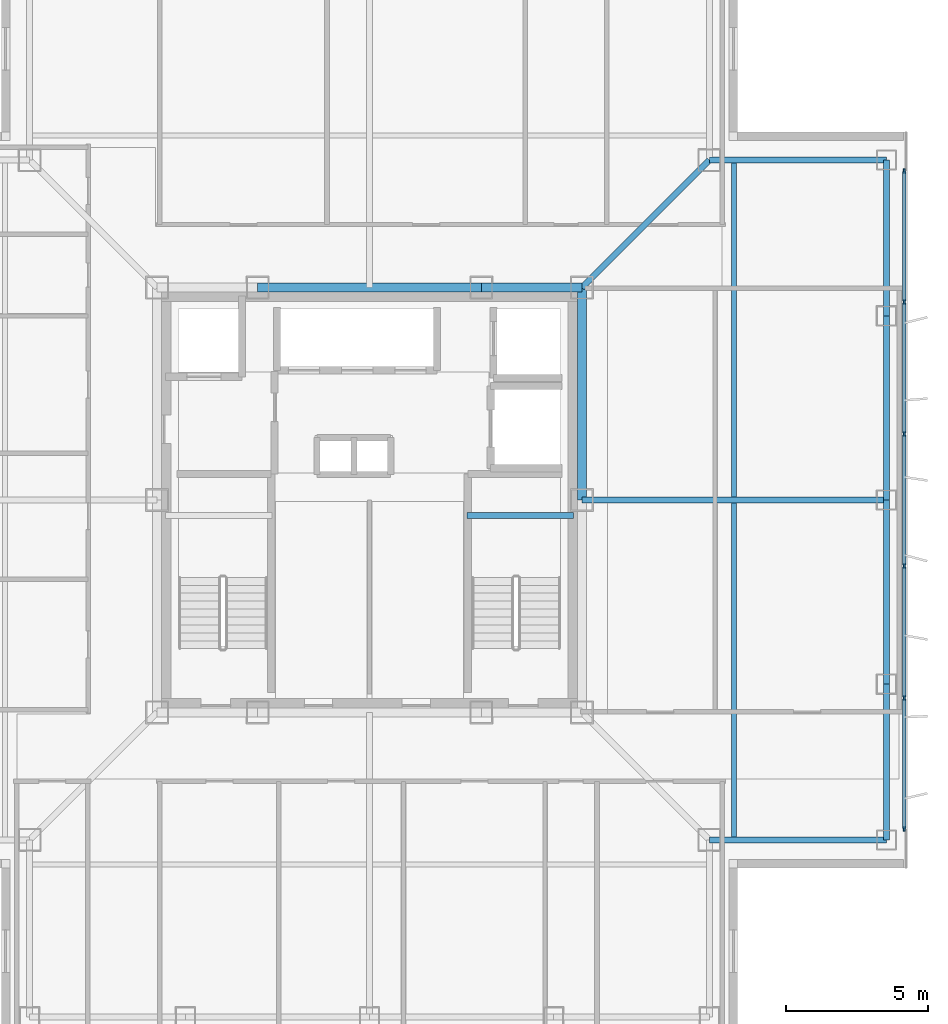
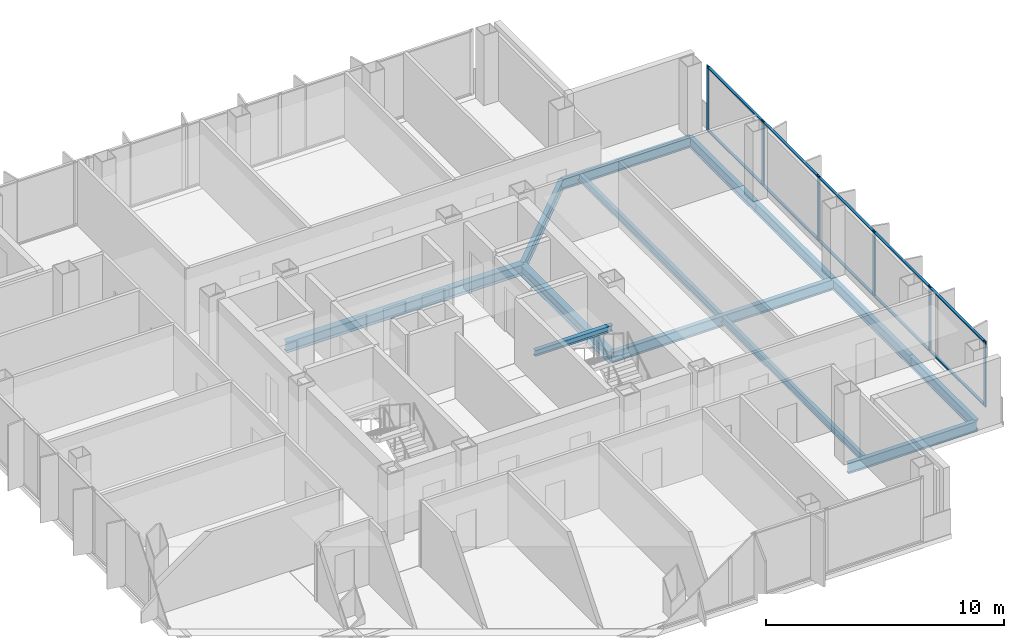
# One storey, part 5 of 15: 16 members, 13 beams, 1 element without a shape of its own.
"""IFC4 building model written with IfcOpenShell, lengths in metres."""

from ifc_helpers import new_model, si_unit, direction, frame, origin, origin_2d, place, context, subcontext, project, spatial, rectangle, i_section, extrude, material, layer, layer_set, material_profile, profile_set, type_object, element, aggregate, save


model = new_model("IFC4")

# Units and contexts
model_context = context("Model", 3, precision=1e-05, world=origin(), true_north=direction((0.0, 1.0)))
body_context = subcontext(model_context, "Body", "Model", "MODEL_VIEW")
ifc_project = project(units=[si_unit("LENGTHUNIT", "METRE"), si_unit("AREAUNIT", "SQUARE_METRE"), si_unit("VOLUMEUNIT", "CUBIC_METRE"), si_unit("PLANEANGLEUNIT", "RADIAN"), si_unit("MASSUNIT", "GRAM", prefix="KILO")], contexts=[model_context])

# Site, building, storey
site_placement = place(None, origin())
site = spatial("IfcSite", under=ifc_project, at=site_placement, CompositionType="ELEMENT")
building_placement = place(site_placement, origin())
building = spatial("IfcBuilding", under=site, at=building_placement, Name="Trevonay Congress Spire", CompositionType="ELEMENT")
storey_placement = place(building_placement, frame((0.0, 0.0, 239.60009765625)))
storey = spatial("IfcBuildingStorey", under=building, at=storey_placement, Name="L62", CompositionType="ELEMENT", Elevation=239.60009765625)

# Beams
ifc_material_1 = material(Name="Steel ASTM A572 Grade 50", Category="steel")
ifc_material_profile_1 = material_profile(ifc_material_1, i_section(OverallWidth=0.2119140625, OverallDepth=0.5439453125, WebThickness=0.01318359375, FlangeThickness=0.021240234375, FilletRadius=0.014892578125, at=origin_2d()), Name="W530x123")
ifc_profile_set_1 = profile_set([ifc_material_profile_1], Name="Steel ASTM A572 Grade 50")
beam_type_1 = type_object("IfcBeamType", Name="BM-GIRD-W530X123", PredefinedType="BEAM", material=ifc_profile_set_1)
beam_1_placement = place(storey_placement, frame((7.5, 7.5, -0.51220703125), z_axis=(0.707106781187, 0.707106781187, 0.0), x_axis=(-0.707106781187, 0.707106781187, 0.0)))
element("IfcBeam", 1, at=beam_1_placement, inside=storey, type_object=beam_type_1, Name="L62 structural beam BM-L62-CDNE", PredefinedType="BEAM", context=body_context, shape_type="SweptSolid", body=[
    extrude(i_section(OverallWidth=0.2119140625, OverallDepth=0.5439453125, WebThickness=0.01318359375, FlangeThickness=0.021240234375, FilletRadius=0.014892578125, at=origin_2d()), origin(), (0.0, 0.0, 1.0), 6.364013671875),
])
beam_2_placement = place(storey_placement, frame((7.5, 0.0, -0.51220703125), z_axis=(1.0, 0.0, 0.0), x_axis=(0.0, 1.0, 0.0)))
element("IfcBeam", 2, at=beam_2_placement, inside=storey, type_object=beam_type_1, Name="L62 structural beam BM-L62-GC-E", PredefinedType="BEAM", context=body_context, shape_type="SweptSolid", body=[
    extrude(i_section(OverallWidth=0.2119140625, OverallDepth=0.5439453125, WebThickness=0.01318359375, FlangeThickness=0.021240234375, FilletRadius=0.014892578125, at=origin_2d()), origin(), (0.0, 0.0, 1.0), 10.75),
])
ifc_material_profile_2 = material_profile(ifc_material_1, i_section(OverallWidth=0.31201171875, OverallDepth=0.54296875, WebThickness=0.0126953125, FlangeThickness=0.020263671875, FilletRadius=0.014892578125, at=origin_2d()), Name="W530x150")
ifc_profile_set_2 = profile_set([ifc_material_profile_2], Name="Steel ASTM A572 Grade 50")
beam_type_2 = type_object("IfcBeamType", Name="BM-GIRD-W530X150", PredefinedType="BEAM", material=ifc_profile_set_2)
beam_3_placement = place(storey_placement, frame((-3.949951171875, 7.5, -0.51171875), z_axis=(1.0, 0.0, 0.0), x_axis=(0.0, 1.0, 0.0)))
element("IfcBeam", 3, at=beam_3_placement, inside=storey, type_object=beam_type_2, Name="L62 structural beam BM-L62-CR-N2", PredefinedType="BEAM", context=body_context, shape_type="SweptSolid", body=[
    extrude(i_section(OverallWidth=0.31201171875, OverallDepth=0.54296875, WebThickness=0.0126953125, FlangeThickness=0.020263671875, FilletRadius=0.014892578125, at=origin_2d()), origin(), (0.0, 0.0, 1.0), 7.89990234375),
])
beam_4_placement = place(storey_placement, frame((3.949951171875, 7.5, -0.51171875), z_axis=(1.0, 0.0, 0.0), x_axis=(0.0, 1.0, 0.0)))
element("IfcBeam", 4, at=beam_4_placement, inside=storey, type_object=beam_type_2, Name="L62 structural beam BM-L62-CR-N3", PredefinedType="BEAM", context=body_context, shape_type="SweptSolid", body=[
    extrude(i_section(OverallWidth=0.31201171875, OverallDepth=0.54296875, WebThickness=0.0126953125, FlangeThickness=0.020263671875, FilletRadius=0.014892578125, at=origin_2d()), origin(), (0.0, 0.0, 1.0), 3.550048828125),
])
beam_5_placement = place(storey_placement, frame((7.5, 0.0, -0.51171875), z_axis=(0.0, 1.0, 0.0), x_axis=(-1.0, 0.0, 0.0)))
element("IfcBeam", 5, at=beam_5_placement, inside=storey, type_object=beam_type_2, Name="L62 structural beam BM-L62-CR-E2", PredefinedType="BEAM", context=body_context, shape_type="SweptSolid", body=[
    extrude(i_section(OverallWidth=0.31201171875, OverallDepth=0.54296875, WebThickness=0.0126953125, FlangeThickness=0.020263671875, FilletRadius=0.014892578125, at=origin_2d()), origin(), (0.0, 0.0, 1.0), 7.5),
])
ifc_material_profile_3 = material_profile(ifc_material_1, i_section(OverallWidth=0.208984375, OverallDepth=0.532958984375, WebThickness=0.01025390625, FlangeThickness=0.015625, FilletRadius=0.014892578125, at=origin_2d()), Name="W530x92")
ifc_profile_set_3 = profile_set([ifc_material_profile_3], Name="Steel ASTM A572 Grade 50")
beam_type_3 = type_object("IfcBeamType", Name="BM-RING-W530X92", PredefinedType="BEAM", material=ifc_profile_set_3)
beam_6_placement = place(storey_placement, frame((18.25, -12.0, -0.506591796875), z_axis=(0.0, 1.0, 0.0), x_axis=(-1.0, 0.0, 0.0)))
element("IfcBeam", 6, at=beam_6_placement, inside=storey, type_object=beam_type_3, Name="L62 structural beam BM-L62-PE1", PredefinedType="BEAM", context=body_context, shape_type="SweptSolid", body=[
    extrude(i_section(OverallWidth=0.208984375, OverallDepth=0.532958984375, WebThickness=0.01025390625, FlangeThickness=0.015625, FilletRadius=0.014892578125, at=origin_2d()), origin(), (0.0, 0.0, 1.0), 5.5),
])
for number, where, z_axis, x_axis, name in (
    (7, (18.25, -6.5, -0.506591796875), (0.0, 1.0, 0.0), (-1.0, 0.0, 0.0), "L62 structural beam BM-L62-PE2"),
    (8, (18.25, 0.0, -0.506591796875), (0.0, 1.0, 0.0), (-1.0, 0.0, 0.0), "L62 structural beam BM-L62-PE3"),
):
    element("IfcBeam", number, at=place(storey_placement, frame(where, z_axis=z_axis, x_axis=x_axis)), inside=storey, type_object=beam_type_3, Name=name, PredefinedType="BEAM", context=body_context, shape_type="SweptSolid", body=[
        extrude(i_section(OverallWidth=0.208984375, OverallDepth=0.532958984375, WebThickness=0.01025390625, FlangeThickness=0.015625, FilletRadius=0.014892578125, at=origin_2d()), origin(), (0.0, 0.0, 1.0), 6.5),
    ])
beam_7_placement = place(storey_placement, frame((18.25, 6.5, -0.506591796875), z_axis=(0.0, 1.0, 0.0), x_axis=(-1.0, 0.0, 0.0)))
element("IfcBeam", 9, at=beam_7_placement, inside=storey, type_object=beam_type_3, Name="L62 structural beam BM-L62-PE4", PredefinedType="BEAM", context=body_context, shape_type="SweptSolid", body=[
    extrude(i_section(OverallWidth=0.208984375, OverallDepth=0.532958984375, WebThickness=0.01025390625, FlangeThickness=0.015625, FilletRadius=0.014892578125, at=origin_2d()), origin(), (0.0, 0.0, 1.0), 5.5),
])
for number, where, z_axis, x_axis, name in (
    (10, (18.25, -12.0, -0.506591796875), (-1.0, 0.0, 0.0), (0.0, -1.0, 0.0), "L62 structural beam BM-L62-N2SE"),
    (11, (18.25, 12.0, -0.506591796875), (-1.0, 0.0, 0.0), (0.0, -1.0, 0.0), "L62 structural beam BM-L62-N2NE"),
):
    element("IfcBeam", number, at=place(storey_placement, frame(where, z_axis=z_axis, x_axis=x_axis)), inside=storey, type_object=beam_type_3, Name=name, PredefinedType="BEAM", context=body_context, shape_type="SweptSolid", body=[
        extrude(i_section(OverallWidth=0.208984375, OverallDepth=0.532958984375, WebThickness=0.01025390625, FlangeThickness=0.015625, FilletRadius=0.014892578125, at=origin_2d()), origin(), (0.0, 0.0, 1.0), 6.25),
    ])

# Curtain wall, members
ifc_material_2 = material(Name="Pale Anodised Aluminium EN AW-6063-T6", Category="aluminium")
ifc_layer = layer(ifc_material_2, 0.1650390625, Name="Pale Anodised Aluminium EN AW-6063-T6")
ifc_layer_set = layer_set([ifc_layer], Name="Pale Anodised Aluminium EN AW-6063-T6")
curtain_wall_type = type_object("IfcCurtainWallType", Name="CW-SYS05-DIPLOM-PALE-METAL", PredefinedType="NOTDEFINED", material=ifc_layer_set)
curtain_wall_placement = place(storey_placement, origin())
curtain_wall = element("IfcCurtainWall", 12, at=curtain_wall_placement, inside=storey, type_object=curtain_wall_type, Name="L62 E unitised curtain wall", PredefinedType="NOTDEFINED")
ifc_material_profile_4 = material_profile(ifc_material_2, rectangle(XDim=0.06005859375, YDim=0.159912109375, at=origin_2d()), Name="CW-MULLION-160-ALUMINIUM")
ifc_profile_set_4 = profile_set([ifc_material_profile_4], Name="Pale Anodised Aluminium EN AW-6063-T6")
member_type_1 = type_object("IfcMemberType", Name="CW-MULLION-160-ALUMINIUM", PredefinedType="MULLION", material=ifc_profile_set_4)
member_1_placement = place(storey_placement, frame((18.8798828125, -11.6201171875, 0.0), z_axis=(0.0, 0.0, 1.0), x_axis=(-1.0, 0.0, 0.0)))
member_1 = element("IfcMember", 13, at=member_1_placement, type_object=member_type_1, Name="CW05 mullion 1", PredefinedType="MULLION", context=body_context, shape_type="SweptSolid", body=[
    extrude(rectangle(XDim=0.06005859375, YDim=0.159912109375, at=origin_2d()), origin(), (0.0, 0.0, 1.0), 3.35986328125),
])
member_2_placement = place(storey_placement, frame((18.8798828125, -6.989990234375, 0.0), z_axis=(0.0, 0.0, 1.0), x_axis=(-1.0, 0.0, 0.0)))
member_2 = element("IfcMember", 14, at=member_2_placement, type_object=member_type_1, Name="CW05 mullion 2", PredefinedType="MULLION", context=body_context, shape_type="SweptSolid", body=[
    extrude(rectangle(XDim=0.06005859375, YDim=0.159912109375, at=origin_2d()), origin(), (0.0, 0.0, 1.0), 3.35986328125),
])
member_3_placement = place(storey_placement, frame((18.8798828125, -2.330078125, 0.0), z_axis=(0.0, 0.0, 1.0), x_axis=(-1.0, 0.0, 0.0)))
member_3 = element("IfcMember", 15, at=member_3_placement, type_object=member_type_1, Name="CW05 mullion 3", PredefinedType="MULLION", context=body_context, shape_type="SweptSolid", body=[
    extrude(rectangle(XDim=0.06005859375, YDim=0.159912109375, at=origin_2d()), origin(), (0.0, 0.0, 1.0), 3.35986328125),
])
member_4_placement = place(storey_placement, frame((18.8798828125, 2.330078125, 0.0), z_axis=(0.0, 0.0, 1.0), x_axis=(-1.0, 0.0, 0.0)))
member_4 = element("IfcMember", 16, at=member_4_placement, type_object=member_type_1, Name="CW05 mullion 4", PredefinedType="MULLION", context=body_context, shape_type="SweptSolid", body=[
    extrude(rectangle(XDim=0.06005859375, YDim=0.159912109375, at=origin_2d()), origin(), (0.0, 0.0, 1.0), 3.35986328125),
])
member_5_placement = place(storey_placement, frame((18.8798828125, 6.989990234375, 0.0), z_axis=(0.0, 0.0, 1.0), x_axis=(-1.0, 0.0, 0.0)))
member_5 = element("IfcMember", 17, at=member_5_placement, type_object=member_type_1, Name="CW05 mullion 5", PredefinedType="MULLION", context=body_context, shape_type="SweptSolid", body=[
    extrude(rectangle(XDim=0.06005859375, YDim=0.159912109375, at=origin_2d()), origin(), (0.0, 0.0, 1.0), 3.35986328125),
])
member_6_placement = place(storey_placement, frame((18.8798828125, 11.6201171875, 0.0), z_axis=(0.0, 0.0, 1.0), x_axis=(-1.0, 0.0, 0.0)))
member_6 = element("IfcMember", 18, at=member_6_placement, type_object=member_type_1, Name="CW05 mullion 6", PredefinedType="MULLION", context=body_context, shape_type="SweptSolid", body=[
    extrude(rectangle(XDim=0.06005859375, YDim=0.159912109375, at=origin_2d()), origin(), (0.0, 0.0, 1.0), 3.35986328125),
])
ifc_material_profile_5 = material_profile(ifc_material_2, rectangle(XDim=0.1201171875, YDim=0.06005859375, at=origin_2d()), Name="CW-TRANSOM-120-ALUMINIUM")
ifc_profile_set_5 = profile_set([ifc_material_profile_5], Name="Pale Anodised Aluminium EN AW-6063-T6")
member_type_2 = type_object("IfcMemberType", Name="CW-TRANSOM-120-ALUMINIUM", PredefinedType="USERDEFINED", material=ifc_profile_set_5)
member_7_placement = place(storey_placement, frame((18.8798828125, -11.590087890625, 0.059814453125), z_axis=(0.0, 1.0, 0.0), x_axis=(-1.0, 0.0, 0.0)))
member_7 = element("IfcMember", 19, at=member_7_placement, type_object=member_type_2, Name="CW05 transom 1.1", ObjectType="TRANSOM", PredefinedType="USERDEFINED", context=body_context, shape_type="SweptSolid", body=[
    extrude(rectangle(XDim=0.1201171875, YDim=0.06005859375, at=origin_2d()), origin(), (0.0, 0.0, 1.0), 4.570068359375),
])
member_8_placement = place(storey_placement, frame((18.8798828125, -11.590087890625, 3.2998046875), z_axis=(0.0, 1.0, 0.0), x_axis=(-1.0, 0.0, 0.0)))
member_8 = element("IfcMember", 20, at=member_8_placement, type_object=member_type_2, Name="CW05 transom 1.2", ObjectType="TRANSOM", PredefinedType="USERDEFINED", context=body_context, shape_type="SweptSolid", body=[
    extrude(rectangle(XDim=0.1201171875, YDim=0.06005859375, at=origin_2d()), origin(), (0.0, 0.0, 1.0), 4.570068359375),
])
member_9_placement = place(storey_placement, frame((18.8798828125, -6.9599609375, 0.059814453125), z_axis=(0.0, 1.0, 0.0), x_axis=(-1.0, 0.0, 0.0)))
member_9 = element("IfcMember", 21, at=member_9_placement, type_object=member_type_2, Name="CW05 transom 2.1", ObjectType="TRANSOM", PredefinedType="USERDEFINED", context=body_context, shape_type="SweptSolid", body=[
    extrude(rectangle(XDim=0.1201171875, YDim=0.06005859375, at=origin_2d()), origin(), (0.0, 0.0, 1.0), 4.599853515625),
])
member_10_placement = place(storey_placement, frame((18.8798828125, -6.9599609375, 3.2998046875), z_axis=(0.0, 1.0, 0.0), x_axis=(-1.0, 0.0, 0.0)))
member_10 = element("IfcMember", 22, at=member_10_placement, type_object=member_type_2, Name="CW05 transom 2.2", ObjectType="TRANSOM", PredefinedType="USERDEFINED", context=body_context, shape_type="SweptSolid", body=[
    extrude(rectangle(XDim=0.1201171875, YDim=0.06005859375, at=origin_2d()), origin(), (0.0, 0.0, 1.0), 4.599853515625),
])
member_11_placement = place(storey_placement, frame((18.8798828125, -2.300048828125, 0.059814453125), z_axis=(0.0, 1.0, 0.0), x_axis=(-1.0, 0.0, 0.0)))
member_11 = element("IfcMember", 23, at=member_11_placement, type_object=member_type_2, Name="CW05 transom 3.1", ObjectType="TRANSOM", PredefinedType="USERDEFINED", context=body_context, shape_type="SweptSolid", body=[
    extrude(rectangle(XDim=0.1201171875, YDim=0.06005859375, at=origin_2d()), origin(), (0.0, 0.0, 1.0), 4.60009765625),
])
member_12_placement = place(storey_placement, frame((18.8798828125, -2.300048828125, 3.2998046875), z_axis=(0.0, 1.0, 0.0), x_axis=(-1.0, 0.0, 0.0)))
member_12 = element("IfcMember", 24, at=member_12_placement, type_object=member_type_2, Name="CW05 transom 3.2", ObjectType="TRANSOM", PredefinedType="USERDEFINED", context=body_context, shape_type="SweptSolid", body=[
    extrude(rectangle(XDim=0.1201171875, YDim=0.06005859375, at=origin_2d()), origin(), (0.0, 0.0, 1.0), 4.60009765625),
])
member_13_placement = place(storey_placement, frame((18.8798828125, 2.360107421875, 0.059814453125), z_axis=(0.0, 1.0, 0.0), x_axis=(-1.0, 0.0, 0.0)))
member_13 = element("IfcMember", 25, at=member_13_placement, type_object=member_type_2, Name="CW05 transom 4.1", ObjectType="TRANSOM", PredefinedType="USERDEFINED", context=body_context, shape_type="SweptSolid", body=[
    extrude(rectangle(XDim=0.1201171875, YDim=0.06005859375, at=origin_2d()), origin(), (0.0, 0.0, 1.0), 4.599853515625),
])
member_14_placement = place(storey_placement, frame((18.8798828125, 2.360107421875, 3.2998046875), z_axis=(0.0, 1.0, 0.0), x_axis=(-1.0, 0.0, 0.0)))
member_14 = element("IfcMember", 26, at=member_14_placement, type_object=member_type_2, Name="CW05 transom 4.2", ObjectType="TRANSOM", PredefinedType="USERDEFINED", context=body_context, shape_type="SweptSolid", body=[
    extrude(rectangle(XDim=0.1201171875, YDim=0.06005859375, at=origin_2d()), origin(), (0.0, 0.0, 1.0), 4.599853515625),
])
member_15_placement = place(storey_placement, frame((18.8798828125, 7.02001953125, 0.059814453125), z_axis=(0.0, 1.0, 0.0), x_axis=(-1.0, 0.0, 0.0)))
member_15 = element("IfcMember", 27, at=member_15_placement, type_object=member_type_2, Name="CW05 transom 5.1", ObjectType="TRANSOM", PredefinedType="USERDEFINED", context=body_context, shape_type="SweptSolid", body=[
    extrude(rectangle(XDim=0.1201171875, YDim=0.06005859375, at=origin_2d()), origin(), (0.0, 0.0, 1.0), 4.570068359375),
])
member_16_placement = place(storey_placement, frame((18.8798828125, 7.02001953125, 3.2998046875), z_axis=(0.0, 1.0, 0.0), x_axis=(-1.0, 0.0, 0.0)))
member_16 = element("IfcMember", 28, at=member_16_placement, type_object=member_type_2, Name="CW05 transom 5.2", ObjectType="TRANSOM", PredefinedType="USERDEFINED", context=body_context, shape_type="SweptSolid", body=[
    extrude(rectangle(XDim=0.1201171875, YDim=0.06005859375, at=origin_2d()), origin(), (0.0, 0.0, 1.0), 4.570068359375),
])
aggregate(curtain_wall, [member_1, member_2, member_3, member_4, member_5, member_6, member_7, member_8, member_9, member_10, member_11, member_12, member_13, member_14, member_15, member_16])

# Beams
ifc_material_profile_6 = material_profile(ifc_material_1, i_section(OverallWidth=0.172119140625, OverallDepth=0.35791015625, WebThickness=0.0078125, FlangeThickness=0.01318359375, FilletRadius=0.011962890625, at=origin_2d()), Name="W360x57.8")
ifc_profile_set_6 = profile_set([ifc_material_profile_6], Name="Steel ASTM A572 Grade 50")
beam_type_4 = type_object("IfcBeamType", Name="JS-COMP-W360X57", PredefinedType="JOIST", material=ifc_profile_set_6)
beam_8_placement = place(storey_placement, frame((12.875, -12.0, -0.419189453125), z_axis=(0.0, 1.0, 0.0), x_axis=(-1.0, 0.0, 0.0)))
element("IfcBeam", 29, at=beam_8_placement, inside=storey, type_object=beam_type_4, Name="L62 structural beam JS-L62-RING-E", PredefinedType="JOIST", context=body_context, shape_type="SweptSolid", body=[
    extrude(i_section(OverallWidth=0.172119140625, OverallDepth=0.35791015625, WebThickness=0.0078125, FlangeThickness=0.01318359375, FilletRadius=0.011962890625, at=origin_2d()), origin(), (0.0, 0.0, 1.0), 24.0),
])
ifc_material_profile_7 = material_profile(ifc_material_1, i_section(OverallWidth=0.2041015625, OverallDepth=0.305908203125, WebThickness=0.008544921875, FlangeThickness=0.0146484375, FilletRadius=0.010986328125, at=origin_2d()), Name="W310x67")
ifc_profile_set_7 = profile_set([ifc_material_profile_7], Name="Steel ASTM A572 Grade 50")
beam_type_5 = type_object("IfcBeamType", Name="LN-CORE-W310X67", PredefinedType="LINTEL", material=ifc_profile_set_7)
beam_9_placement = place(storey_placement, frame((3.449951171875, -0.550048828125, 1.447021484375), z_axis=(1.0, 0.0, 0.0), x_axis=(0.0, 1.0, 0.0)))
element("IfcBeam", 30, at=beam_9_placement, inside=storey, type_object=beam_type_5, Name="L62 structural beam BM-L62-HL-ST2", PredefinedType="LINTEL", context=body_context, shape_type="SweptSolid", body=[
    extrude(i_section(OverallWidth=0.2041015625, OverallDepth=0.305908203125, WebThickness=0.008544921875, FlangeThickness=0.0146484375, FilletRadius=0.010986328125, at=origin_2d()), origin(), (0.0, 0.0, 1.0), 3.75),
])

save(model, "model.ifc")
